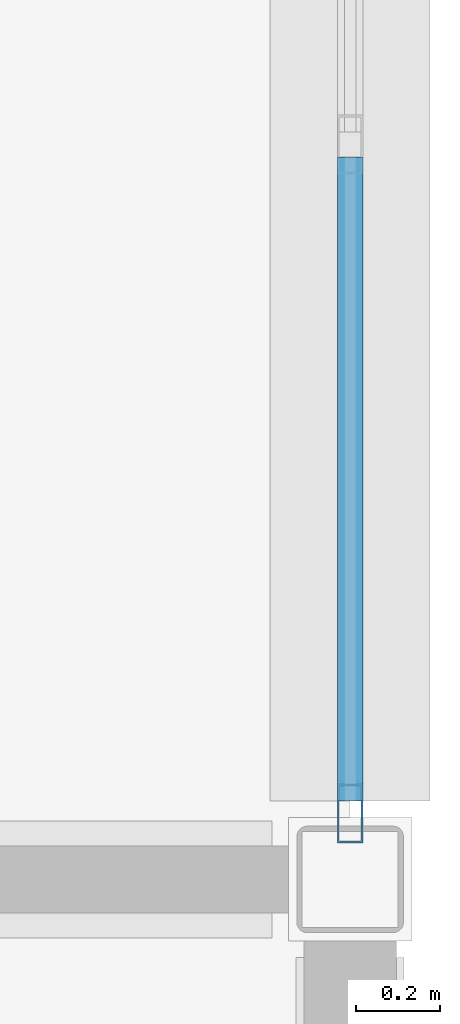
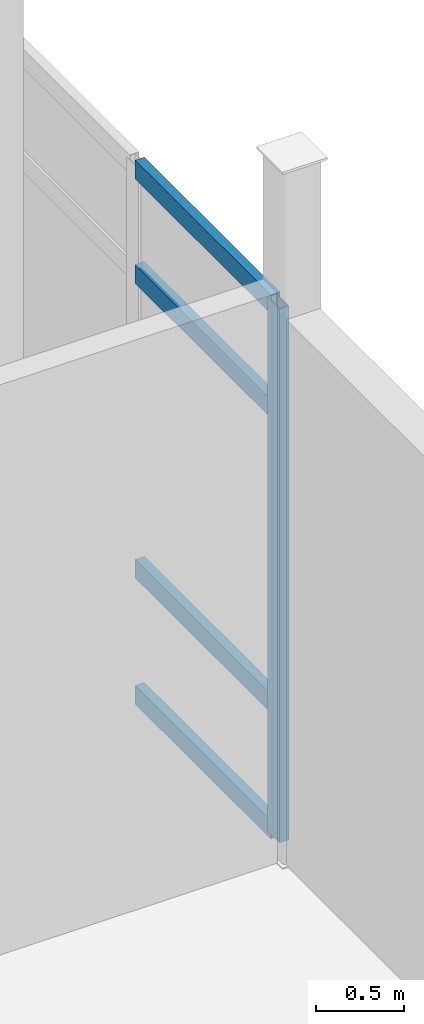
# One storey, part 85 of 153: 5 members, 1 element without a shape of its own.
"""IFC4 building model written with IfcOpenShell, lengths in metres."""

from ifc_helpers import new_model, si_unit, direction, frame, origin, origin_2d, place, context, subcontext, project, spatial, hollow_rectangle, extrude, material, layer, layer_set, material_profile, profile_set, type_object, element, aggregate, save


model = new_model("IFC4")

# Units and contexts
model_context = context("Model", 3, precision=1e-05, world=origin(), true_north=direction((0.0, 1.0)))
body_context = subcontext(model_context, "Body", "Model", "MODEL_VIEW")
ifc_project = project(units=[si_unit("LENGTHUNIT", "METRE"), si_unit("AREAUNIT", "SQUARE_METRE"), si_unit("VOLUMEUNIT", "CUBIC_METRE"), si_unit("PLANEANGLEUNIT", "RADIAN"), si_unit("MASSUNIT", "GRAM", prefix="KILO")], contexts=[model_context])

# Site, building, storey
site_placement = place(None, origin())
site = spatial("IfcSite", under=ifc_project, at=site_placement, CompositionType="ELEMENT")
building_placement = place(site_placement, origin())
building = spatial("IfcBuilding", under=site, at=building_placement, Name="Calvrana Isthmian Art Gallery", CompositionType="ELEMENT")
storey_placement = place(building_placement, frame((0.0, 0.0, 10.199951171875)))
storey = spatial("IfcBuildingStorey", under=building, at=storey_placement, Name="L02", CompositionType="ELEMENT", Elevation=10.199951171875)

# Curtain wall, members
ifc_material = material(Name="Anodized bronze aluminium 6063-T6", Category="aluminium")
ifc_layer = layer(ifc_material, 0.179931640625, Name="Anodized bronze aluminium 6063-T6")
ifc_layer_set = layer_set([ifc_layer], Name="Anodized bronze aluminium 6063-T6")
curtain_wall_type = type_object("IfcCurtainWallType", Name="CW-UNIT-081X37", PredefinedType="USERDEFINED", material=ifc_layer_set)
curtain_wall_placement = place(storey_placement, origin())
curtain_wall = element("IfcCurtainWall", 1, at=curtain_wall_placement, inside=storey, type_object=curtain_wall_type, Name="Curtain wall CW-186", ObjectType="UNITISED CURTAIN WALL", PredefinedType="USERDEFINED")
ifc_material_profile_1 = material_profile(ifc_material, hollow_rectangle(XDim=0.06005859375, YDim=0.139892578125, WallThickness=0.00390625, at=origin_2d()), Name="CWM60X140")
ifc_profile_set_1 = profile_set([ifc_material_profile_1], Name="Anodized bronze aluminium 6063-T6")
member_type_1 = type_object("IfcMemberType", Name="CWM-CWM60X140", PredefinedType="MULLION", material=ifc_profile_set_1)
member_1_placement = place(storey_placement, frame((156.0, 38.556884765625, 0.0), z_axis=(0.0, 0.0, 1.0), x_axis=(1.0, 0.0, 0.0)))
member_1 = element("IfcMember", 2, at=member_1_placement, type_object=member_type_1, Name="CW-186 mullion 6", PredefinedType="MULLION", context=body_context, shape_type="SweptSolid", body=[
    extrude(hollow_rectangle(XDim=0.06005859375, YDim=0.139892578125, WallThickness=0.00390625, at=origin_2d()), origin(), (0.0, 0.0, 1.0), 3.68408203125),
])
ifc_material_profile_2 = material_profile(ifc_material, hollow_rectangle(XDim=0.06005859375, YDim=0.1298828125, WallThickness=0.00390625, at=origin_2d()), Name="CWT60X130")
ifc_profile_set_2 = profile_set([ifc_material_profile_2], Name="Anodized bronze aluminium 6063-T6")
member_type_2 = type_object("IfcMemberType", Name="CWT-CWT60X130", PredefinedType="USERDEFINED", material=ifc_profile_set_2)
member_2_placement = place(storey_placement, frame((156.0, 40.12109375, 0.030029296875), z_axis=(0.0, -1.0, 0.0), x_axis=(1.0, 0.0, 0.0)))
member_2 = element("IfcMember", 3, at=member_2_placement, type_object=member_type_2, Name="CW-186 transom 5.1", ObjectType="TRANSOM", PredefinedType="USERDEFINED", context=body_context, shape_type="SweptSolid", body=[
    extrude(hollow_rectangle(XDim=0.06005859375, YDim=0.1298828125, WallThickness=0.00390625, at=origin_2d()), origin(), (0.0, 0.0, 1.0), 1.5341796875),
])
member_3_placement = place(storey_placement, frame((156.0, 40.12109375, 0.900146484375), z_axis=(0.0, -1.0, 0.0), x_axis=(1.0, 0.0, 0.0)))
member_3 = element("IfcMember", 4, at=member_3_placement, type_object=member_type_2, Name="CW-186 transom 5.2", ObjectType="TRANSOM", PredefinedType="USERDEFINED", context=body_context, shape_type="SweptSolid", body=[
    extrude(hollow_rectangle(XDim=0.06005859375, YDim=0.1298828125, WallThickness=0.00390625, at=origin_2d()), origin(), (0.0, 0.0, 1.0), 1.5341796875),
])
member_4_placement = place(storey_placement, frame((156.0, 40.12109375, 2.93408203125), z_axis=(0.0, -1.0, 0.0), x_axis=(1.0, 0.0, 0.0)))
member_4 = element("IfcMember", 5, at=member_4_placement, type_object=member_type_2, Name="CW-186 transom 5.3", ObjectType="TRANSOM", PredefinedType="USERDEFINED", context=body_context, shape_type="SweptSolid", body=[
    extrude(hollow_rectangle(XDim=0.06005859375, YDim=0.1298828125, WallThickness=0.00390625, at=origin_2d()), origin(), (0.0, 0.0, 1.0), 1.5341796875),
])
member_5_placement = place(storey_placement, frame((156.0, 40.12109375, 3.654052734375), z_axis=(0.0, -1.0, 0.0), x_axis=(1.0, 0.0, 0.0)))
member_5 = element("IfcMember", 6, at=member_5_placement, type_object=member_type_2, Name="CW-186 transom 5.4", ObjectType="TRANSOM", PredefinedType="USERDEFINED", context=body_context, shape_type="SweptSolid", body=[
    extrude(hollow_rectangle(XDim=0.06005859375, YDim=0.1298828125, WallThickness=0.00390625, at=origin_2d()), origin(), (0.0, 0.0, 1.0), 1.5341796875),
])
aggregate(curtain_wall, [member_1, member_2, member_3, member_4, member_5])

save(model, "model.ifc")
